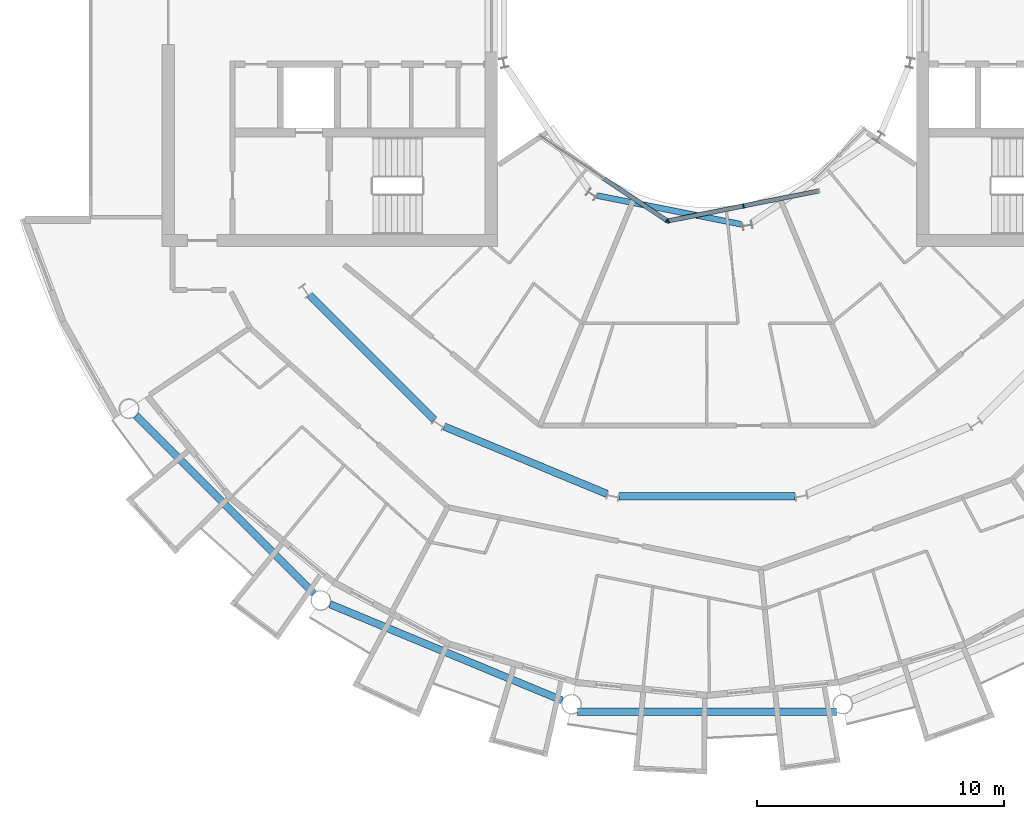
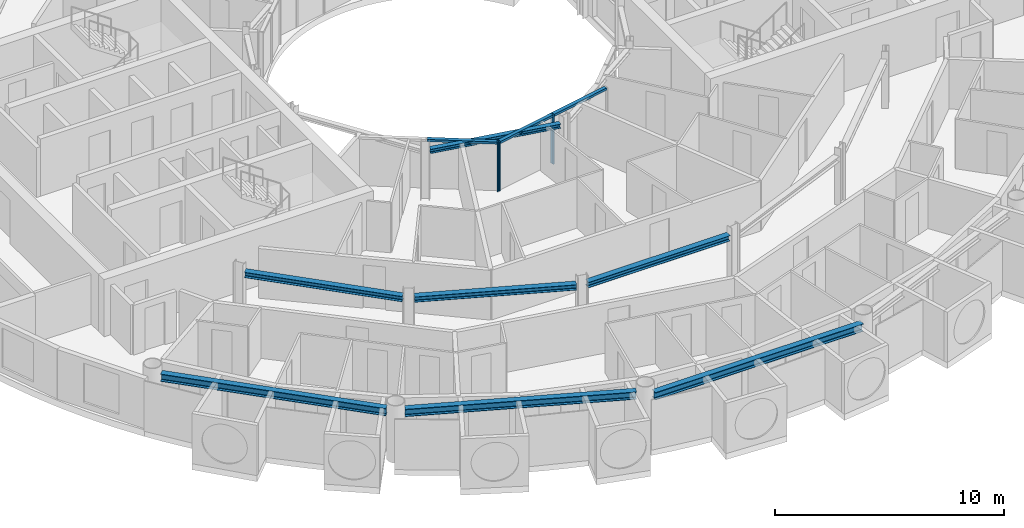
# One storey, part 5 of 26: 7 beams, 6 members, 2 elements without a shape of their own.
"""IFC4 building model written with IfcOpenShell, lengths in metres."""

from ifc_helpers import new_model, si_unit, direction, frame, origin, origin_2d, place, context, subcontext, project, spatial, rectangle, i_section, extrude, material, layer, layer_set, material_profile, profile_set, type_object, element, aggregate, save


model = new_model("IFC4")

# Units and contexts
model_context = context("Model", 3, precision=1e-05, world=origin(), true_north=direction((0.0, 1.0)))
body_context = subcontext(model_context, "Body", "Model", "MODEL_VIEW")
ifc_project = project(units=[si_unit("LENGTHUNIT", "METRE"), si_unit("AREAUNIT", "SQUARE_METRE"), si_unit("VOLUMEUNIT", "CUBIC_METRE"), si_unit("PLANEANGLEUNIT", "RADIAN"), si_unit("MASSUNIT", "GRAM", prefix="KILO")], contexts=[model_context])

# Site, building, storey
site_placement = place(None, origin())
site = spatial("IfcSite", under=ifc_project, at=site_placement, CompositionType="ELEMENT")
building_placement = place(site_placement, origin())
building = spatial("IfcBuilding", under=site, at=building_placement, Name="Maasbend Ring Residences", CompositionType="ELEMENT")
storey_placement = place(building_placement, frame((0.0, 0.0, 176.85009765625)))
storey = spatial("IfcBuildingStorey", under=building, at=storey_placement, Name="L51", CompositionType="ELEMENT", Elevation=176.85009765625)

# Curtain wall, member
ifc_material_1 = material(Name="Aluminium and clear glass", Category="aluminium")
ifc_layer = layer(ifc_material_1, 0.179931640625)
ifc_layer_set = layer_set([ifc_layer], Name="CW-W")
curtain_wall_type = type_object("IfcCurtainWallType", Name="CW-W", PredefinedType="NOTDEFINED", material=ifc_layer_set)
curtain_wall_1_placement = place(storey_placement, origin())
curtain_wall_1 = element("IfcCurtainWall", 1, at=curtain_wall_1_placement, inside=storey, type_object=curtain_wall_type, Name="Well curtain wall S1", PredefinedType="NOTDEFINED")
ifc_material_2 = material(Name="Aluminium 6063-T6", Category="aluminium")
ifc_material_profile_1 = material_profile(ifc_material_2, rectangle(XDim=0.179931640625, YDim=0.06005859375, at=origin_2d()), Name="AL 180x60")
ifc_profile_set_1 = profile_set([ifc_material_profile_1], Name="Aluminium 6063-T6")
member_type_1 = type_object("IfcMemberType", Name="CWM-W", PredefinedType="MULLION", material=ifc_profile_set_1)
member_1_placement = place(storey_placement, frame((-1.627685546875, -8.040771484375, 0.0), z_axis=(0.0, 0.0, 1.0), x_axis=(0.55557023302, 0.831469612303, 0.0)))
member_1 = element("IfcMember", 2, at=member_1_placement, type_object=member_type_1, Name="Mullion well face", PredefinedType="MULLION", context=body_context, shape_type="SweptSolid", body=[
    extrude(rectangle(XDim=0.179931640625, YDim=0.06005859375, at=origin_2d()), origin(), (0.0, 0.0, 1.0), 2.64990234375),
])

# Curtain wall, members
curtain_wall_2_placement = place(storey_placement, origin())
curtain_wall_2 = element("IfcCurtainWall", 3, at=curtain_wall_2_placement, inside=storey, type_object=curtain_wall_type, Name="Well curtain wall S2", PredefinedType="NOTDEFINED")
member_2_placement = place(storey_placement, frame((-1.5732421875, -8.0517578125, 0.0), z_axis=(0.0, 0.0, 1.0), x_axis=(-0.195090322016, 0.980785280403, 0.0)))
member_2 = element("IfcMember", 4, at=member_2_placement, type_object=member_type_1, Name="Mullion well face", PredefinedType="MULLION", context=body_context, shape_type="SweptSolid", body=[
    extrude(rectangle(XDim=0.179931640625, YDim=0.06005859375, at=origin_2d()), origin(), (0.0, 0.0, 1.0), 2.64990234375),
])
member_3_placement = place(storey_placement, frame((1.480712890625, -7.444091796875, 0.0), z_axis=(0.0, 0.0, 1.0), x_axis=(-0.195090322016, 0.980785280403, 0.0)))
member_3 = element("IfcMember", 5, at=member_3_placement, type_object=member_type_1, Name="Mullion well face", PredefinedType="MULLION", context=body_context, shape_type="SweptSolid", body=[
    extrude(rectangle(XDim=0.179931640625, YDim=0.06005859375, at=origin_2d()), origin(), (0.0, 0.0, 1.0), 2.64990234375),
])

# Member
ifc_material_3 = material(Name="Aluminium 6063-T6", Category="aluminium")
ifc_material_profile_2 = material_profile(ifc_material_3, rectangle(XDim=0.179931640625, YDim=0.1201171875, at=origin_2d()), Name="AL 180x120")
ifc_profile_set_2 = profile_set([ifc_material_profile_2], Name="Aluminium 6063-T6")
member_type_2 = type_object("IfcMemberType", Name="CWT-W", PredefinedType="USERDEFINED", material=ifc_profile_set_2)
member_4_placement = place(storey_placement, frame((-4.19189453125, -6.32763671875, 2.58984375), z_axis=(0.831496422459, -0.555530106689, 0.0), x_axis=(0.555530106689, 0.831496422459, 0.0)))
member_4 = element("IfcMember", 6, at=member_4_placement, type_object=member_type_2, Name="Transom well face", ObjectType="TRANSOM", PredefinedType="USERDEFINED", context=body_context, shape_type="SweptSolid", body=[
    extrude(rectangle(XDim=0.179931640625, YDim=0.1201171875, at=origin_2d()), origin(), (0.0, 0.0, 1.0), 3.053955078125),
])

aggregate(curtain_wall_1, [member_1, member_4])

member_5_placement = place(storey_placement, frame((-1.5439453125, -8.0458984375, 2.58984375), z_axis=(0.980776956105, 0.195132166424, 0.0), x_axis=(-0.195132166424, 0.980776956105, 0.0)))
member_5 = element("IfcMember", 7, at=member_5_placement, type_object=member_type_2, Name="Transom well face", ObjectType="TRANSOM", PredefinedType="USERDEFINED", context=body_context, shape_type="SweptSolid", body=[
    extrude(rectangle(XDim=0.179931640625, YDim=0.1201171875, at=origin_2d()), origin(), (0.0, 0.0, 1.0), 3.053955078125),
])

member_6_placement = place(storey_placement, frame((1.51025390625, -7.438232421875, 2.58984375), z_axis=(0.980789210404, 0.19507056353, 0.0), x_axis=(-0.19507056353, 0.980789210404, 0.0)))
member_6 = element("IfcMember", 8, at=member_6_placement, type_object=member_type_2, Name="Transom well face", ObjectType="TRANSOM", PredefinedType="USERDEFINED", context=body_context, shape_type="SweptSolid", body=[
    extrude(rectangle(XDim=0.179931640625, YDim=0.1201171875, at=origin_2d()), origin(), (0.0, 0.0, 1.0), 3.0537109375),
])

aggregate(curtain_wall_2, [member_2, member_3, member_5, member_6])

# Beams
ifc_material_4 = material(Name="Steel S355J2", Category="steel")
ifc_material_profile_3 = material_profile(ifc_material_4, i_section(OverallWidth=0.300048828125, OverallDepth=0.2900390625, WebThickness=0.008544921875, FlangeThickness=0.013916015625, FilletRadius=0.027099609375, at=origin_2d()), Name="HEA 300")
ifc_profile_set_3 = profile_set([ifc_material_profile_3], Name="Steel S355J2")
beam_type_1 = type_object("IfcBeamType", Name="Corridor ring beam HEA 300", PredefinedType="BEAM", material=ifc_profile_set_3)
for number, where, z_axis, x_axis, name in (
    (9, (-16.11669921875, -11.0693359375, 2.5048828125), (0.707106781187, -0.707106781187, 0.0), (0.707106781187, 0.707106781187, 0.0), "Corridor ring beam"),
    (10, (-10.65380859375, -16.394287109375, 2.5048828125), (0.923871339849, -0.382703210602, 0.0), (0.382703210602, 0.923871339849, 0.0), "Corridor ring beam"),
):
    element("IfcBeam", number, at=place(storey_placement, frame(where, z_axis=z_axis, x_axis=x_axis)), inside=storey, type_object=beam_type_1, Name=name, PredefinedType="BEAM", context=body_context, shape_type="SweptSolid", body=[
        extrude(i_section(OverallWidth=0.300048828125, OverallDepth=0.2900390625, WebThickness=0.008544921875, FlangeThickness=0.013916015625, FilletRadius=0.027099609375, at=origin_2d()), origin(), (0.0, 0.0, 1.0), 7.137939453125),
    ])
beam_1_placement = place(storey_placement, frame((-3.56884765625, -19.223388671875, 2.5048828125), z_axis=(1.0, 0.0, 0.0), x_axis=(0.0, 1.0, 0.0)))
element("IfcBeam", 11, at=beam_1_placement, inside=storey, type_object=beam_type_1, Name="Corridor ring beam", PredefinedType="BEAM", context=body_context, shape_type="SweptSolid", body=[
    extrude(i_section(OverallWidth=0.300048828125, OverallDepth=0.2900390625, WebThickness=0.008544921875, FlangeThickness=0.013916015625, FilletRadius=0.027099609375, at=origin_2d()), origin(), (0.0, 0.0, 1.0), 7.1376953125),
])
ifc_material_5 = material(Name="Steel S355J2", Category="steel")
ifc_material_profile_4 = material_profile(ifc_material_5, i_section(OverallWidth=0.300048828125, OverallDepth=0.39990234375, WebThickness=0.013427734375, FlangeThickness=0.02392578125, FilletRadius=0.027099609375, at=origin_2d()), Name="HEB 400")
ifc_profile_set_4 = profile_set([ifc_material_profile_4], Name="Steel S355J2")
beam_type_2 = type_object("IfcBeamType", Name="Spandrel ring beam HEB 400", PredefinedType="SPANDREL", material=ifc_profile_set_4)
for number, where, z_axis, x_axis, name in (
    (12, (-23.159912109375, -15.95458984375, 2.449951171875), (0.707106781187, -0.707106781187, 0.0), (0.707106781187, 0.707106781187, 0.0), "Spandrel ring beam"),
    (13, (-15.29150390625, -23.60302734375, 2.449951171875), (0.923883676188, -0.382673428492, 0.0), (0.382673428492, 0.923883676188, 0.0), "Spandrel ring beam"),
):
    element("IfcBeam", number, at=place(storey_placement, frame(where, z_axis=z_axis, x_axis=x_axis)), inside=storey, type_object=beam_type_2, Name=name, PredefinedType="SPANDREL", context=body_context, shape_type="SweptSolid", body=[
        extrude(i_section(OverallWidth=0.300048828125, OverallDepth=0.39990234375, WebThickness=0.013427734375, FlangeThickness=0.02392578125, FilletRadius=0.027099609375, at=origin_2d()), origin(), (0.0, 0.0, 1.0), 10.18994140625),
    ])
beam_2_placement = place(storey_placement, frame((-5.2451171875, -27.9580078125, 2.449951171875), z_axis=(1.0, 0.0, 0.0), x_axis=(0.0, 1.0, 0.0)))
element("IfcBeam", 14, at=beam_2_placement, inside=storey, type_object=beam_type_2, Name="Spandrel ring beam", PredefinedType="SPANDREL", context=body_context, shape_type="SweptSolid", body=[
    extrude(i_section(OverallWidth=0.300048828125, OverallDepth=0.39990234375, WebThickness=0.013427734375, FlangeThickness=0.02392578125, FilletRadius=0.027099609375, at=origin_2d()), origin(), (0.0, 0.0, 1.0), 10.490234375),
])
ifc_material_6 = material(Name="Steel S355J2", Category="steel")
ifc_material_profile_5 = material_profile(ifc_material_6, i_section(OverallWidth=0.239990234375, OverallDepth=0.22998046875, WebThickness=0.007568359375, FlangeThickness=0.011962890625, FilletRadius=0.02099609375, at=origin_2d()), Name="HEA 240")
ifc_profile_set_5 = profile_set([ifc_material_profile_5], Name="Steel S355J2")
beam_type_3 = type_object("IfcBeamType", Name="Well edge beam HEA 240", PredefinedType="BEAM", material=ifc_profile_set_5)
beam_3_placement = place(storey_placement, frame((-4.459716796875, -7.025390625, 2.534912109375), z_axis=(0.980778695042, -0.195123425945, 0.0), x_axis=(0.195123425945, 0.980778695042, 0.0)))
element("IfcBeam", 15, at=beam_3_placement, inside=storey, type_object=beam_type_3, Name="Well edge beam", PredefinedType="BEAM", context=body_context, shape_type="SweptSolid", body=[
    extrude(i_section(OverallWidth=0.239990234375, OverallDepth=0.22998046875, WebThickness=0.007568359375, FlangeThickness=0.011962890625, FilletRadius=0.02099609375, at=origin_2d()), origin(), (0.0, 0.0, 1.0), 6.007080078125),
])

save(model, "model.ifc")
